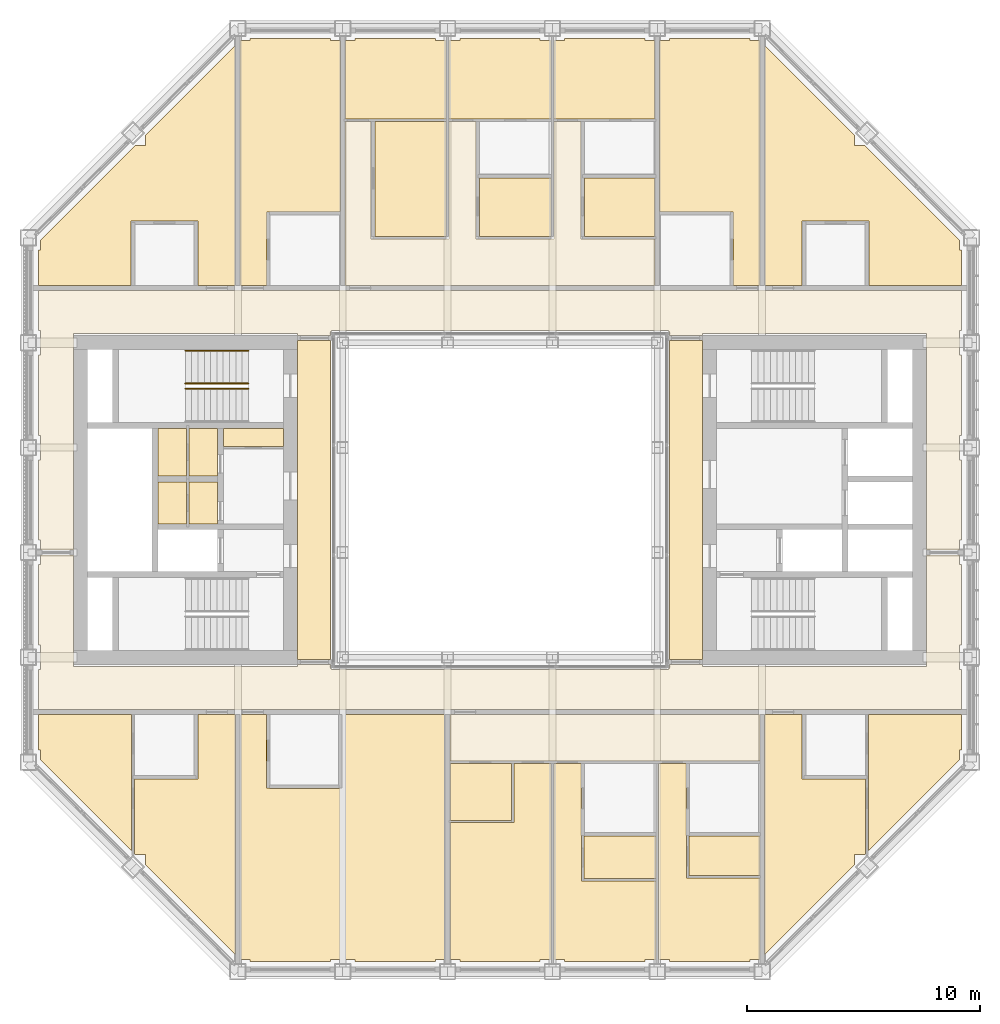
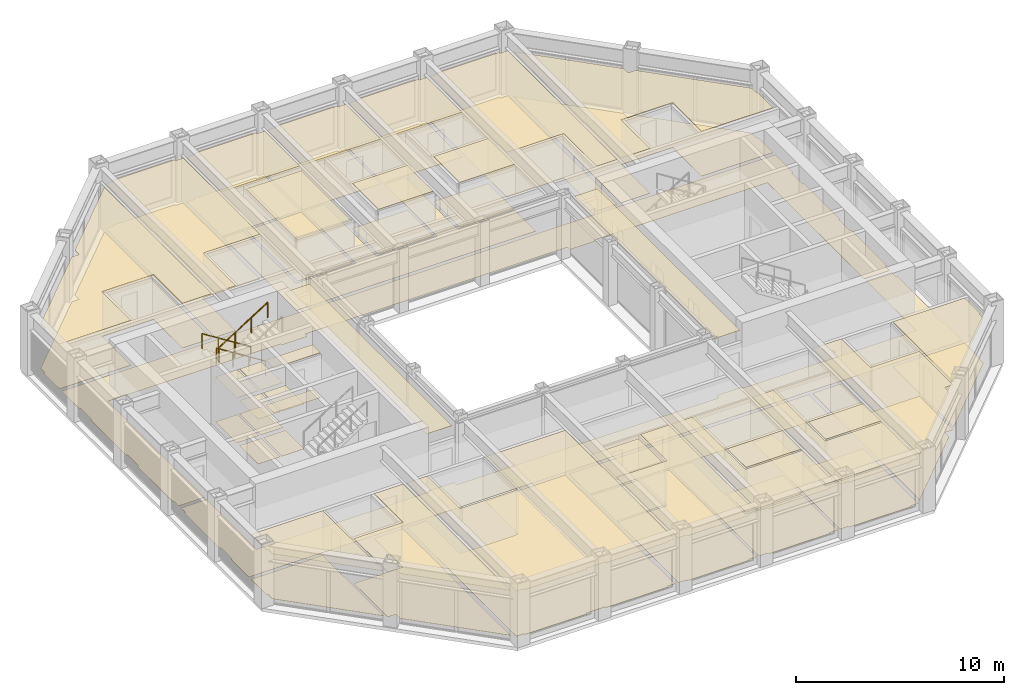
# One storey, part 16 of 17: 6 coverings, 3 railings.
"""IFC4 building model written with IfcOpenShell, lengths in metres."""

from ifc_helpers import new_model, si_unit, direction, frame, origin, origin_2d, place, context, subcontext, project, spatial, line, indexed_curve, circle, outline, extrude, material, layer, layer_set, type_object, element, save


model = new_model("IFC4")

# Units and contexts
model_context = context("Model", 3, precision=1e-05, world=origin(), true_north=direction((0.0, 1.0)))
body_context = subcontext(model_context, "Body", "Model", "MODEL_VIEW")
ifc_project = project(units=[si_unit("LENGTHUNIT", "METRE"), si_unit("AREAUNIT", "SQUARE_METRE"), si_unit("VOLUMEUNIT", "CUBIC_METRE"), si_unit("PLANEANGLEUNIT", "RADIAN"), si_unit("MASSUNIT", "GRAM", prefix="KILO")], contexts=[model_context])

# Site, building, storey
site_placement = place(None, origin())
site = spatial("IfcSite", under=ifc_project, at=site_placement, CompositionType="ELEMENT")
building_placement = place(site_placement, origin())
building = spatial("IfcBuilding", under=site, at=building_placement, Name="Msasa Ring Tower", CompositionType="ELEMENT")
storey_placement = place(building_placement, frame((0.0, 0.0, 238.300048828125)))
storey = spatial("IfcBuildingStorey", under=building, at=storey_placement, Name="L62", CompositionType="ELEMENT", Elevation=238.300048828125)

# Coverings
ifc_material_1 = material(Name="Gypsum plasterboard on a steel suspension grid", Category="steel")
ifc_layer_1 = layer(ifc_material_1, 0.014892578125)
ifc_layer_set_1 = layer_set([ifc_layer_1], Name="C1 SUSPENDED PLASTERBOARD CEILING 15")
covering_type_1 = type_object("IfcCoveringType", Name="C1 SUSPENDED PLASTERBOARD CEILING 15", PredefinedType="CEILING", material=ifc_layer_set_1)
covering_1_placement = place(storey_placement, frame((0.0, 0.0, 3.199951171875)))
element("IfcCovering", 1, at=covering_1_placement, inside=storey, type_object=covering_type_1, Name="Suspended Plasterboard Ceiling 15 public rooms L62", PredefinedType="CEILING", context=body_context, shape_type="SweptSolid", body=[
    extrude(outline(indexed_curve([(-7.280029296875, 6.849609375), (-7.280029296875, -6.849609375), (-8.699462890625, -6.849609375), (-8.699462890625, 6.849609375)], segments=[line(1, 2, 3, 4, 1)], self_intersect=False)), origin(), (0.0, 0.0, 1.0), 0.014892578125),
    extrude(outline(indexed_curve([(8.699462890625, 6.849609375), (8.699462890625, -6.849609375), (7.280029296875, -6.849609375), (7.280029296875, 6.849609375)], segments=[line(1, 2, 3, 4, 1)], self_intersect=False)), origin(), (0.0, 0.0, 1.0), 0.014892578125),
])
covering_2_placement = place(storey_placement, frame((0.0, 0.0, 2.634033203125)))
element("IfcCovering", 2, at=covering_2_placement, inside=storey, type_object=covering_type_1, Name="Suspended Plasterboard Ceiling 15 L62", PredefinedType="CEILING", context=body_context, shape_type="SweptSolid", body=[
    extrude(outline(indexed_curve([(-15.810546875, -15.052490234375), (-19.724609375, -11.138427734375), (-19.724609375, -10.724609375), (-19.799560546875, -10.724609375), (-19.799560546875, -9.200439453125), (-15.810546875, -9.200439453125)], segments=[line(1, 2, 3, 4, 5, 6, 1)], self_intersect=False)), origin(), (0.0, 0.0, 1.0), 0.014892578125),
    extrude(outline(indexed_curve([(-19.799560546875, 9.200439453125), (-19.799560546875, 10.724609375), (-19.724609375, 10.724609375), (-19.724609375, 11.138427734375), (-15.638427734375, 15.224609375), (-15.224609375, 15.224609375), (-15.224609375, 15.638427734375), (-11.3505859375, 19.512451171875), (-11.3505859375, 9.200439453125), (-12.969482421875, 9.200439453125), (-12.969482421875, 11.98046875), (-15.83056640625, 11.98046875), (-15.83056640625, 9.200439453125)], segments=[line(1, 2, 3, 4, 5, 6, 7, 8, 9, 10, 11, 12, 13, 1)], self_intersect=False)), origin(), (0.0, 0.0, 1.0), 0.014892578125),
    extrude(outline(indexed_curve([(-11.3505859375, -19.512451171875), (-15.224609375, -15.638427734375), (-15.224609375, -15.224609375), (-15.638427734375, -15.224609375), (-15.689453125, -15.17333984375), (-15.689453125, -11.98046875), (-12.969482421875, -11.98046875), (-12.969482421875, -9.200439453125), (-11.3505859375, -9.200439453125)], segments=[line(1, 2, 3, 4, 5, 6, 7, 8, 9, 1)], self_intersect=False)), origin(), (0.0, 0.0, 1.0), 0.014892578125),
    extrude(outline(indexed_curve([(-13.45556640625, -1.0244140625), (-14.674560546875, -1.0244140625), (-14.674560546875, 0.7744140625), (-13.45556640625, 0.7744140625)], segments=[line(1, 2, 3, 4, 1)], self_intersect=False)), origin(), (0.0, 0.0, 1.0), 0.014892578125),
    extrude(outline(indexed_curve([(-14.674560546875, 3.074462890625), (-13.45556640625, 3.074462890625), (-13.45556640625, 1.025390625), (-14.674560546875, 1.025390625)], segments=[line(1, 2, 3, 4, 1)], self_intersect=False)), origin(), (0.0, 0.0, 1.0), 0.014892578125),
    extrude(outline(indexed_curve([(-12.12548828125, -1.0244140625), (-13.344482421875, -1.0244140625), (-13.344482421875, 0.7744140625), (-12.12548828125, 0.7744140625)], segments=[line(1, 2, 3, 4, 1)], self_intersect=False)), origin(), (0.0, 0.0, 1.0), 0.014892578125),
    extrude(outline(indexed_curve([(-12.12548828125, 3.074462890625), (-12.12548828125, 1.025390625), (-13.344482421875, 1.025390625), (-13.344482421875, 3.074462890625)], segments=[line(1, 2, 3, 4, 1)], self_intersect=False)), origin(), (0.0, 0.0, 1.0), 0.014892578125),
    extrude(outline(indexed_curve([(-9.300537109375, 3.074462890625), (-9.300537109375, 2.305419921875), (-11.87451171875, 2.305419921875), (-11.87451171875, 3.074462890625)], segments=[line(1, 2, 3, 4, 1)], self_intersect=False)), origin(), (0.0, 0.0, 1.0), 0.014892578125),
    extrude(outline(indexed_curve([(-6.799560546875, -12.3505859375), (-6.799560546875, -9.200439453125), (-2.3505859375, -9.200439453125), (-2.3505859375, -19.724609375), (-2.775390625, -19.724609375), (-2.775390625, -19.799560546875), (-6.224609375, -19.799560546875), (-6.224609375, -19.724609375), (-7.275390625, -19.724609375), (-7.275390625, -19.799560546875), (-10.724609375, -19.799560546875), (-10.724609375, -19.724609375), (-11.138427734375, -19.724609375), (-11.1494140625, -19.71337890625), (-11.1494140625, -9.200439453125), (-10.00048828125, -9.200439453125), (-10.00048828125, -12.3505859375)], segments=[line(1, 2, 3, 4, 5, 6, 7, 8, 9, 10, 11, 12, 13, 14, 15, 16, 17, 1)], self_intersect=False)), origin(), (0.0, 0.0, 1.0), 0.014892578125),
    extrude(outline(indexed_curve([(-11.1494140625, 9.200439453125), (-11.1494140625, 19.71337890625), (-11.138427734375, 19.724609375), (-10.724609375, 19.724609375), (-10.724609375, 19.799560546875), (-7.275390625, 19.799560546875), (-7.275390625, 19.724609375), (-6.8505859375, 19.724609375), (-6.8505859375, 12.3505859375), (-10.00048828125, 12.3505859375), (-10.00048828125, 9.200439453125)], segments=[line(1, 2, 3, 4, 5, 6, 7, 8, 9, 10, 11, 1)], self_intersect=False)), origin(), (0.0, 0.0, 1.0), 0.014892578125),
    extrude(outline(indexed_curve([(-6.689453125, 19.724609375), (-6.224609375, 19.724609375), (-6.224609375, 19.799560546875), (-2.775390625, 19.799560546875), (-2.775390625, 19.724609375), (-2.310546875, 19.724609375), (-2.310546875, 16.35546875), (-6.689453125, 16.35546875)], segments=[line(1, 2, 3, 4, 5, 6, 7, 8, 1)], self_intersect=False)), origin(), (0.0, 0.0, 1.0), 0.014892578125),
    extrude(outline(indexed_curve([(2.189453125, -11.300537109375), (2.189453125, -19.724609375), (1.724609375, -19.724609375), (1.724609375, -19.799560546875), (-1.724609375, -19.799560546875), (-1.724609375, -19.724609375), (-2.189453125, -19.724609375), (-2.189453125, -13.8505859375), (0.6005859375, -13.8505859375), (0.6005859375, -11.300537109375)], segments=[line(1, 2, 3, 4, 5, 6, 7, 8, 9, 10, 1)], self_intersect=False)), origin(), (0.0, 0.0, 1.0), 0.014892578125),
    extrude(outline(indexed_curve([(-2.189453125, 19.724609375), (-1.724609375, 19.724609375), (-1.724609375, 19.799560546875), (1.724609375, 19.799560546875), (1.724609375, 19.724609375), (2.189453125, 19.724609375), (2.189453125, 16.35546875), (-2.189453125, 16.35546875)], segments=[line(1, 2, 3, 4, 5, 6, 7, 8, 1)], self_intersect=False)), origin(), (0.0, 0.0, 1.0), 0.014892578125),
    extrude(outline(indexed_curve([(-0.869384765625, 13.819580078125), (2.189453125, 13.819580078125), (2.189453125, 11.305419921875), (-0.869384765625, 11.305419921875)], segments=[line(1, 2, 3, 4, 1)], self_intersect=False)), origin(), (0.0, 0.0, 1.0), 0.014892578125),
    extrude(outline(indexed_curve([(6.689453125, -19.724609375), (6.224609375, -19.724609375), (6.224609375, -19.799560546875), (2.775390625, -19.799560546875), (2.775390625, -19.724609375), (2.310546875, -19.724609375), (2.310546875, -11.300537109375), (3.49951171875, -11.300537109375), (3.49951171875, -16.3505859375), (6.689453125, -16.3505859375)], segments=[line(1, 2, 3, 4, 5, 6, 7, 8, 9, 10, 1)], self_intersect=False)), origin(), (0.0, 0.0, 1.0), 0.014892578125),
    extrude(outline(indexed_curve([(2.310546875, 19.724609375), (2.775390625, 19.724609375), (2.775390625, 19.799560546875), (6.224609375, 19.799560546875), (6.224609375, 19.724609375), (6.689453125, 19.724609375), (6.689453125, 16.35546875), (2.310546875, 16.35546875)], segments=[line(1, 2, 3, 4, 5, 6, 7, 8, 1)], self_intersect=False)), origin(), (0.0, 0.0, 1.0), 0.014892578125),
    extrude(outline(indexed_curve([(6.689453125, -14.430419921875), (6.689453125, -16.244384765625), (3.6005859375, -16.244384765625), (3.6005859375, -14.430419921875)], segments=[line(1, 2, 3, 4, 1)], self_intersect=False)), origin(), (0.0, 0.0, 1.0), 0.014892578125),
    extrude(outline(indexed_curve([(6.689453125, 13.819580078125), (6.689453125, 11.305419921875), (3.630615234375, 11.305419921875), (3.630615234375, 13.819580078125)], segments=[line(1, 2, 3, 4, 1)], self_intersect=False)), origin(), (0.0, 0.0, 1.0), 0.014892578125),
    extrude(outline(indexed_curve([(11.138427734375, -19.724609375), (10.724609375, -19.724609375), (10.724609375, -19.799560546875), (7.275390625, -19.799560546875), (7.275390625, -19.724609375), (6.810546875, -19.724609375), (6.810546875, -11.300537109375), (7.99951171875, -11.300537109375), (7.99951171875, -16.22412109375), (11.189453125, -16.22412109375), (11.189453125, -19.67333984375)], segments=[line(1, 2, 3, 4, 5, 6, 7, 8, 9, 10, 11, 1)], self_intersect=False)), origin(), (0.0, 0.0, 1.0), 0.014892578125),
    extrude(outline(indexed_curve([(10.724609375, 19.799560546875), (10.724609375, 19.724609375), (11.138427734375, 19.724609375), (11.1494140625, 19.71337890625), (11.1494140625, 9.200439453125), (10.00048828125, 9.200439453125), (10.00048828125, 12.3505859375), (6.8505859375, 12.3505859375), (6.8505859375, 19.724609375), (7.275390625, 19.724609375), (7.275390625, 19.799560546875)], segments=[line(1, 2, 3, 4, 5, 6, 7, 8, 9, 10, 11, 1)], self_intersect=False)), origin(), (0.0, 0.0, 1.0), 0.014892578125),
    extrude(outline(indexed_curve([(8.1005859375, -14.430419921875), (11.189453125, -14.430419921875), (11.189453125, -16.1181640625), (8.1005859375, -16.1181640625)], segments=[line(1, 2, 3, 4, 1)], self_intersect=False)), origin(), (0.0, 0.0, 1.0), 0.014892578125),
    extrude(outline(indexed_curve([(11.3505859375, -9.200439453125), (12.969482421875, -9.200439453125), (12.969482421875, -11.98046875), (15.689453125, -11.98046875), (15.689453125, -15.17333984375), (15.638427734375, -15.224609375), (15.224609375, -15.224609375), (15.224609375, -15.638427734375), (11.3505859375, -19.512451171875)], segments=[line(1, 2, 3, 4, 5, 6, 7, 8, 9, 1)], self_intersect=False)), origin(), (0.0, 0.0, 1.0), 0.014892578125),
    extrude(outline(indexed_curve([(12.969482421875, 9.200439453125), (11.3505859375, 9.200439453125), (11.3505859375, 19.512451171875), (15.224609375, 15.638427734375), (15.224609375, 15.224609375), (15.638427734375, 15.224609375), (19.724609375, 11.138427734375), (19.724609375, 10.724609375), (19.799560546875, 10.724609375), (19.799560546875, 9.200439453125), (15.83056640625, 9.200439453125), (15.83056640625, 11.98046875), (12.969482421875, 11.98046875)], segments=[line(1, 2, 3, 4, 5, 6, 7, 8, 9, 10, 11, 12, 13, 1)], self_intersect=False)), origin(), (0.0, 0.0, 1.0), 0.014892578125),
    extrude(outline(indexed_curve([(19.799560546875, -10.724609375), (19.724609375, -10.724609375), (19.724609375, -11.138427734375), (15.810546875, -15.052490234375), (15.810546875, -9.200439453125), (19.799560546875, -9.200439453125)], segments=[line(1, 2, 3, 4, 5, 6, 1)], self_intersect=False)), origin(), (0.0, 0.0, 1.0), 0.014892578125),
])
ifc_material_2 = material(Name="Perforated aluminium ceiling pans on a steel grid", Category="steel")
ifc_layer_2 = layer(ifc_material_2, 0.02490234375)
ifc_layer_set_2 = layer_set([ifc_layer_2], Name="C4 PERFORATED METAL PAN CEILING 25")
covering_type_2 = type_object("IfcCoveringType", Name="C4 PERFORATED METAL PAN CEILING 25", PredefinedType="CEILING", material=ifc_layer_set_2)
covering_3_placement = place(storey_placement, frame((0.0, 0.0, 2.39990234375)))
element("IfcCovering", 3, at=covering_3_placement, inside=storey, type_object=covering_type_2, Name="Perforated Metal Pan Ceiling 25 L62", PredefinedType="CEILING", context=body_context, shape_type="SweptSolid", body=[
    extrude(outline(indexed_curve([(-2.310546875, 16.244384765625), (-2.310546875, 11.305419921875), (-5.369384765625, 11.305419921875), (-5.369384765625, 16.244384765625)], segments=[line(1, 2, 3, 4, 1)], self_intersect=False)), origin(), (0.0, 0.0, 1.0), 0.025146484375),
    extrude(outline(indexed_curve([(0.49951171875, -11.300537109375), (0.49951171875, -13.74951171875), (-2.1494140625, -13.74951171875), (-2.1494140625, -11.300537109375)], segments=[line(1, 2, 3, 4, 1)], self_intersect=False)), origin(), (0.0, 0.0, 1.0), 0.025146484375),
])
ifc_material_3 = material(Name="Wool-blend carpet on felt underlay", Category="textile")
ifc_layer_3 = layer(ifc_material_3, 0.011962890625)
ifc_layer_set_3 = layer_set([ifc_layer_3], Name="F2 CARPET ON UNDERLAY 12")
covering_type_3 = type_object("IfcCoveringType", Name="F2 CARPET ON UNDERLAY 12", PredefinedType="FLOORING", material=ifc_layer_set_3)
covering_4_placement = place(storey_placement, origin())
element("IfcCovering", 4, at=covering_4_placement, inside=storey, type_object=covering_type_3, Name="Carpet On Underlay 12 L62", PredefinedType="FLOORING", context=body_context, shape_type="SweptSolid", body=[
    extrude(outline(indexed_curve([(-19.799560546875, -9.200439453125), (-15.810546875, -9.200439453125), (-15.810546875, -15.052490234375), (-19.724609375, -11.138427734375), (-19.724609375, -10.724609375), (-19.799560546875, -10.724609375)], segments=[line(1, 2, 3, 4, 5, 6, 1)], self_intersect=False)), origin(), (0.0, 0.0, 1.0), 0.011962890625),
    extrude(outline(indexed_curve([(8.699462890625, -7.150390625), (18.300537109375, -7.150390625), (18.300537109375, -2.3505859375), (19.724609375, -2.3505859375), (19.724609375, -2.775390625), (19.799560546875, -2.775390625), (19.799560546875, -6.224609375), (19.724609375, -6.224609375), (19.724609375, -7.275390625), (19.799560546875, -7.275390625), (19.799560546875, -8.99951171875), (-19.799560546875, -8.99951171875), (-19.799560546875, -7.275390625), (-19.724609375, -7.275390625), (-19.724609375, -6.224609375), (-19.799560546875, -6.224609375), (-19.799560546875, -2.775390625), (-19.724609375, -2.775390625), (-19.724609375, -2.3505859375), (-18.300537109375, -2.3505859375), (-18.300537109375, -7.150390625), (-8.699462890625, -7.150390625), (-8.699462890625, -7.050537109375), (-7.280029296875, -7.050537109375), (-7.280517578125, -7.23046875), (-7.22998046875, -7.23046875), (-7.22998046875, -7.280029296875), (7.22998046875, -7.280029296875), (7.22998046875, -7.23046875), (7.280517578125, -7.23046875), (7.280029296875, -7.050537109375), (8.699462890625, -7.050537109375)], segments=[line(1, 2, 3, 4, 5, 6, 7, 8, 9, 10, 11, 12, 13, 14, 15, 16, 17, 18, 19, 20, 21, 22, 23, 24, 25, 26, 27, 28, 29, 30, 31, 32, 1)], self_intersect=False)), origin(), (0.0, 0.0, 1.0), 0.011962890625),
    extrude(outline(indexed_curve([(18.300537109375, -2.1494140625), (18.300537109375, 7.150390625), (8.699462890625, 7.150390625), (8.699462890625, 7.050537109375), (7.280029296875, 7.050537109375), (7.280517578125, 7.23046875), (7.22998046875, 7.23046875), (7.22998046875, 7.280029296875), (-7.22998046875, 7.280029296875), (-7.22998046875, 7.23046875), (-7.280517578125, 7.23046875), (-7.280029296875, 7.050537109375), (-8.699462890625, 7.050537109375), (-8.699462890625, 7.150390625), (-18.300537109375, 7.150390625), (-18.300537109375, -2.1494140625), (-19.724609375, -2.1494140625), (-19.724609375, -1.724609375), (-19.799560546875, -1.724609375), (-19.799560546875, 1.724609375), (-19.724609375, 1.724609375), (-19.724609375, 2.775390625), (-19.799560546875, 2.775390625), (-19.799560546875, 6.224609375), (-19.724609375, 6.224609375), (-19.724609375, 7.275390625), (-19.799560546875, 7.275390625), (-19.799560546875, 8.99951171875), (19.799560546875, 8.99951171875), (19.799560546875, 7.275390625), (19.724609375, 7.275390625), (19.724609375, 6.224609375), (19.799560546875, 6.224609375), (19.799560546875, 2.775390625), (19.724609375, 2.775390625), (19.724609375, 1.724609375), (19.799560546875, 1.724609375), (19.799560546875, -1.724609375), (19.724609375, -1.724609375), (19.724609375, -2.1494140625)], segments=[line(1, 2, 3, 4, 5, 6, 7, 8, 9, 10, 11, 12, 13, 14, 15, 16, 17, 18, 19, 20, 21, 22, 23, 24, 25, 26, 27, 28, 29, 30, 31, 32, 33, 34, 35, 36, 37, 38, 39, 40, 1)], self_intersect=False)), origin(), (0.0, 0.0, 1.0), 0.011962890625),
    extrude(outline(indexed_curve([(-15.224609375, -15.638427734375), (-15.224609375, -15.224609375), (-15.638427734375, -15.224609375), (-15.689453125, -15.17333984375), (-15.689453125, -11.98046875), (-12.969482421875, -11.98046875), (-12.969482421875, -9.200439453125), (-11.3505859375, -9.200439453125), (-11.3505859375, -19.512451171875)], segments=[line(1, 2, 3, 4, 5, 6, 7, 8, 9, 1)], self_intersect=False)), origin(), (0.0, 0.0, 1.0), 0.011962890625),
    extrude(outline(indexed_curve([(-13.45556640625, -1.0244140625), (-14.674560546875, -1.0244140625), (-14.674560546875, 0.7744140625), (-13.45556640625, 0.7744140625)], segments=[line(1, 2, 3, 4, 1)], self_intersect=False)), origin(), (0.0, 0.0, 1.0), 0.011962890625),
    extrude(outline(indexed_curve([(-13.45556640625, 3.074462890625), (-13.45556640625, 1.025390625), (-14.674560546875, 1.025390625), (-14.674560546875, 3.074462890625)], segments=[line(1, 2, 3, 4, 1)], self_intersect=False)), origin(), (0.0, 0.0, 1.0), 0.011962890625),
    extrude(outline(indexed_curve([(-12.12548828125, -1.0244140625), (-13.344482421875, -1.0244140625), (-13.344482421875, 0.7744140625), (-12.12548828125, 0.7744140625)], segments=[line(1, 2, 3, 4, 1)], self_intersect=False)), origin(), (0.0, 0.0, 1.0), 0.011962890625),
    extrude(outline(indexed_curve([(-12.12548828125, 1.025390625), (-13.344482421875, 1.025390625), (-13.344482421875, 3.074462890625), (-12.12548828125, 3.074462890625)], segments=[line(1, 2, 3, 4, 1)], self_intersect=False)), origin(), (0.0, 0.0, 1.0), 0.011962890625),
    extrude(outline(indexed_curve([(-9.300537109375, 2.305419921875), (-11.87451171875, 2.305419921875), (-11.87451171875, 3.074462890625), (-9.300537109375, 3.074462890625)], segments=[line(1, 2, 3, 4, 1)], self_intersect=False)), origin(), (0.0, 0.0, 1.0), 0.011962890625),
    extrude(outline(indexed_curve([(-11.1494140625, 19.71337890625), (-11.138427734375, 19.724609375), (-10.724609375, 19.724609375), (-10.724609375, 19.799560546875), (-7.275390625, 19.799560546875), (-7.275390625, 19.724609375), (-6.8505859375, 19.724609375), (-6.8505859375, 12.37548828125), (-9.89990234375, 12.37548828125), (-9.89990234375, 12.3505859375), (-10.025390625, 12.35009765625), (-10.025390625, 9.200439453125), (-11.1494140625, 9.200439453125)], segments=[line(1, 2, 3, 4, 5, 6, 7, 8, 9, 10, 11, 12, 13, 1)], self_intersect=False)), origin(), (0.0, 0.0, 1.0), 0.011962890625),
    extrude(outline(indexed_curve([(-2.189453125, 16.244384765625), (-1.030517578125, 16.244384765625), (-1.030517578125, 11.199462890625), (2.310546875, 11.199462890625), (2.310546875, 16.244384765625), (3.469482421875, 16.244384765625), (3.469482421875, 11.199462890625), (6.6494140625, 11.199462890625), (6.6494140625, 9.200439453125), (-6.6494140625, 9.200439453125), (-6.6494140625, 16.244384765625), (-5.530517578125, 16.244384765625), (-5.530517578125, 11.199462890625), (-2.189453125, 11.199462890625)], segments=[line(1, 2, 3, 4, 5, 6, 7, 8, 9, 10, 11, 12, 13, 14, 1)], self_intersect=False)), origin(), (0.0, 0.0, 1.0), 0.011962890625),
    extrude(outline(indexed_curve([(-2.775390625, 19.799560546875), (-2.775390625, 19.724609375), (-2.310546875, 19.724609375), (-2.310546875, 16.35546875), (-6.6494140625, 16.35546875), (-6.6494140625, 19.724609375), (-6.224609375, 19.724609375), (-6.224609375, 19.799560546875)], segments=[line(1, 2, 3, 4, 5, 6, 7, 8, 1)], self_intersect=False)), origin(), (0.0, 0.0, 1.0), 0.011962890625),
    extrude(outline(indexed_curve([(-2.189453125, 19.724609375), (-1.724609375, 19.724609375), (-1.724609375, 19.799560546875), (1.724609375, 19.799560546875), (1.724609375, 19.724609375), (2.189453125, 19.724609375), (2.189453125, 16.35546875), (-2.189453125, 16.35546875)], segments=[line(1, 2, 3, 4, 5, 6, 7, 8, 1)], self_intersect=False)), origin(), (0.0, 0.0, 1.0), 0.011962890625),
    extrude(outline(indexed_curve([(2.189453125, -19.724609375), (1.724609375, -19.724609375), (1.724609375, -19.799560546875), (-1.724609375, -19.799560546875), (-1.724609375, -19.724609375), (-2.1494140625, -19.724609375), (-2.1494140625, -13.8505859375), (0.6005859375, -13.8505859375), (0.6005859375, -11.300537109375), (2.189453125, -11.300537109375)], segments=[line(1, 2, 3, 4, 5, 6, 7, 8, 9, 10, 1)], self_intersect=False)), origin(), (0.0, 0.0, 1.0), 0.011962890625),
    extrude(outline(indexed_curve([(11.1494140625, -11.199462890625), (-2.1494140625, -11.199462890625), (-2.1494140625, -9.200439453125), (11.1494140625, -9.200439453125)], segments=[line(1, 2, 3, 4, 1)], self_intersect=False)), origin(), (0.0, 0.0, 1.0), 0.011962890625),
    extrude(outline(indexed_curve([(2.189453125, 11.305419921875), (-0.869384765625, 11.305419921875), (-0.869384765625, 13.819580078125), (2.189453125, 13.819580078125)], segments=[line(1, 2, 3, 4, 1)], self_intersect=False)), origin(), (0.0, 0.0, 1.0), 0.011962890625),
    extrude(outline(indexed_curve([(2.310546875, -11.300537109375), (3.474609375, -11.300537109375), (3.474609375, -14.39990234375), (3.49951171875, -14.39990234375), (3.49951171875, -16.3505859375), (6.689453125, -16.3505859375), (6.689453125, -19.724609375), (6.224609375, -19.724609375), (6.224609375, -19.799560546875), (2.775390625, -19.799560546875), (2.775390625, -19.724609375), (2.310546875, -19.724609375)], segments=[line(1, 2, 3, 4, 5, 6, 7, 8, 9, 10, 11, 12, 1)], self_intersect=False)), origin(), (0.0, 0.0, 1.0), 0.011962890625),
    extrude(outline(indexed_curve([(6.224609375, 19.799560546875), (6.224609375, 19.724609375), (6.6494140625, 19.724609375), (6.6494140625, 16.35546875), (2.310546875, 16.35546875), (2.310546875, 19.724609375), (2.775390625, 19.724609375), (2.775390625, 19.799560546875)], segments=[line(1, 2, 3, 4, 5, 6, 7, 8, 1)], self_intersect=False)), origin(), (0.0, 0.0, 1.0), 0.011962890625),
    extrude(outline(indexed_curve([(6.689453125, -14.430419921875), (6.689453125, -16.244384765625), (3.6005859375, -16.244384765625), (3.6005859375, -14.430419921875)], segments=[line(1, 2, 3, 4, 1)], self_intersect=False)), origin(), (0.0, 0.0, 1.0), 0.011962890625),
    extrude(outline(indexed_curve([(3.630615234375, 11.305419921875), (3.630615234375, 13.819580078125), (6.6494140625, 13.819580078125), (6.6494140625, 11.305419921875)], segments=[line(1, 2, 3, 4, 1)], self_intersect=False)), origin(), (0.0, 0.0, 1.0), 0.011962890625),
    extrude(outline(indexed_curve([(7.275390625, -19.799560546875), (7.275390625, -19.724609375), (6.810546875, -19.724609375), (6.810546875, -11.300537109375), (7.974609375, -11.300537109375), (7.974609375, -14.39990234375), (7.99951171875, -14.39990234375), (7.99951171875, -16.22412109375), (11.1494140625, -16.22412109375), (11.1494140625, -19.71337890625), (11.138427734375, -19.724609375), (10.724609375, -19.724609375), (10.724609375, -19.799560546875)], segments=[line(1, 2, 3, 4, 5, 6, 7, 8, 9, 10, 11, 12, 13, 1)], self_intersect=False)), origin(), (0.0, 0.0, 1.0), 0.011962890625),
    extrude(outline(indexed_curve([(11.1494140625, 9.200439453125), (10.025390625, 9.200439453125), (10.025390625, 12.35009765625), (9.89990234375, 12.3505859375), (9.89990234375, 12.37548828125), (6.8505859375, 12.37548828125), (6.8505859375, 19.724609375), (7.275390625, 19.724609375), (7.275390625, 19.799560546875), (10.724609375, 19.799560546875), (10.724609375, 19.724609375), (11.138427734375, 19.724609375), (11.1494140625, 19.71337890625)], segments=[line(1, 2, 3, 4, 5, 6, 7, 8, 9, 10, 11, 12, 13, 1)], self_intersect=False)), origin(), (0.0, 0.0, 1.0), 0.011962890625),
    extrude(outline(indexed_curve([(8.1005859375, -16.1181640625), (8.1005859375, -14.430419921875), (11.1494140625, -14.430419921875), (11.1494140625, -16.1181640625)], segments=[line(1, 2, 3, 4, 1)], self_intersect=False)), origin(), (0.0, 0.0, 1.0), 0.011962890625),
    extrude(outline(indexed_curve([(12.969482421875, -9.200439453125), (12.969482421875, -11.98046875), (15.689453125, -11.98046875), (15.689453125, -15.17333984375), (15.638427734375, -15.224609375), (15.224609375, -15.224609375), (15.224609375, -15.638427734375), (11.3505859375, -19.512451171875), (11.3505859375, -9.200439453125)], segments=[line(1, 2, 3, 4, 5, 6, 7, 8, 9, 1)], self_intersect=False)), origin(), (0.0, 0.0, 1.0), 0.011962890625),
    extrude(outline(indexed_curve([(19.799560546875, -10.724609375), (19.724609375, -10.724609375), (19.724609375, -11.138427734375), (15.810546875, -15.052490234375), (15.810546875, -9.200439453125), (19.799560546875, -9.200439453125)], segments=[line(1, 2, 3, 4, 5, 6, 1)], self_intersect=False)), origin(), (0.0, 0.0, 1.0), 0.011962890625),
])
ifc_material_4 = material(Name="Engineered oak boards on an acoustic underlay", Category="wood")
ifc_layer_4 = layer(ifc_material_4, 0.01806640625)
ifc_layer_set_4 = layer_set([ifc_layer_4], Name="F3 ENGINEERED TIMBER ON ACOUSTIC UNDERLAY 18")
covering_type_4 = type_object("IfcCoveringType", Name="F3 ENGINEERED TIMBER ON ACOUSTIC UNDERLAY 18", PredefinedType="FLOORING", material=ifc_layer_set_4)
covering_5_placement = place(storey_placement, origin())
element("IfcCovering", 5, at=covering_5_placement, inside=storey, type_object=covering_type_4, Name="Engineered Timber On Acoustic Underlay 18 L62", PredefinedType="FLOORING", context=body_context, shape_type="SweptSolid", body=[
    extrude(outline(indexed_curve([(-15.83056640625, 9.200439453125), (-19.799560546875, 9.200439453125), (-19.799560546875, 10.724609375), (-19.724609375, 10.724609375), (-19.724609375, 11.138427734375), (-15.638427734375, 15.224609375), (-15.224609375, 15.224609375), (-15.224609375, 15.638427734375), (-11.3505859375, 19.512451171875), (-11.3505859375, 9.200439453125), (-12.969482421875, 9.200439453125), (-12.969482421875, 11.98046875), (-15.83056640625, 11.98046875)], segments=[line(1, 2, 3, 4, 5, 6, 7, 8, 9, 10, 11, 12, 13, 1)], self_intersect=False)), origin(), (0.0, 0.0, 1.0), 0.01806640625),
    extrude(outline(indexed_curve([(-11.1494140625, -9.200439453125), (-10.025390625, -9.200439453125), (-10.025390625, -12.35009765625), (-9.89990234375, -12.3505859375), (-9.89990234375, -12.37548828125), (-6.89990234375, -12.37548828125), (-6.89990234375, -12.3505859375), (-6.7744140625, -12.35009765625), (-6.7744140625, -9.200439453125), (-2.3505859375, -9.200439453125), (-2.3505859375, -19.724609375), (-2.775390625, -19.724609375), (-2.775390625, -19.799560546875), (-6.224609375, -19.799560546875), (-6.224609375, -19.724609375), (-7.275390625, -19.724609375), (-7.275390625, -19.799560546875), (-10.724609375, -19.799560546875), (-10.724609375, -19.724609375), (-11.138427734375, -19.724609375), (-11.1494140625, -19.71337890625)], segments=[line(1, 2, 3, 4, 5, 6, 7, 8, 9, 10, 11, 12, 13, 14, 15, 16, 17, 18, 19, 20, 21, 1)], self_intersect=False)), origin(), (0.0, 0.0, 1.0), 0.01806640625),
    extrude(outline(indexed_curve([(15.83056640625, 11.98046875), (12.969482421875, 11.98046875), (12.969482421875, 9.200439453125), (11.3505859375, 9.200439453125), (11.3505859375, 19.512451171875), (15.224609375, 15.638427734375), (15.224609375, 15.224609375), (15.638427734375, 15.224609375), (19.724609375, 11.138427734375), (19.724609375, 10.724609375), (19.799560546875, 10.724609375), (19.799560546875, 9.200439453125), (15.83056640625, 9.200439453125)], segments=[line(1, 2, 3, 4, 5, 6, 7, 8, 9, 10, 11, 12, 13, 1)], self_intersect=False)), origin(), (0.0, 0.0, 1.0), 0.01806640625),
])
ifc_material_5 = material(Name="Welded vinyl safety sheet flooring", Category="vinyl")
ifc_layer_5 = layer(ifc_material_5, 0.0029296875)
ifc_layer_set_5 = layer_set([ifc_layer_5], Name="F5 RESILIENT SHEET FLOORING 3")
covering_type_5 = type_object("IfcCoveringType", Name="F5 RESILIENT SHEET FLOORING 3", PredefinedType="FLOORING", material=ifc_layer_set_5)
covering_6_placement = place(storey_placement, origin())
element("IfcCovering", 6, at=covering_6_placement, inside=storey, type_object=covering_type_5, Name="Resilient Sheet Flooring 3 L62", PredefinedType="FLOORING", context=body_context, shape_type="SweptSolid", body=[
    extrude(outline(indexed_curve([(-2.310546875, 11.305419921875), (-5.369384765625, 11.305419921875), (-5.369384765625, 16.244384765625), (-2.310546875, 16.244384765625)], segments=[line(1, 2, 3, 4, 1)], self_intersect=False)), origin(), (0.0, 0.0, 1.0), 0.0029296875),
    extrude(outline(indexed_curve([(0.49951171875, -13.74951171875), (-2.1494140625, -13.74951171875), (-2.1494140625, -11.300537109375), (0.49951171875, -11.300537109375)], segments=[line(1, 2, 3, 4, 1)], self_intersect=False)), origin(), (0.0, 0.0, 1.0), 0.0029296875),
])

# Railings
ifc_material_6 = material(Name="Stainless steel", Category="steel")
railing_type = type_object("IfcRailingType", Name="HR1 HANDRAIL 900", PredefinedType="HANDRAIL", material=ifc_material_6)
for number, where, name in (
    (7, (-10.800048828125, 5.0, 0.17041015625), "Handrail stair SWB L62 1"),
    (8, (-10.800048828125, 6.39990234375, 0.17041015625), "Handrail stair SWB L62 2"),
):
    element("IfcRailing", number, at=place(storey_placement, frame(where)), inside=storey, type_object=railing_type, Name=name, PredefinedType="HANDRAIL", context=body_context, shape_type="SweptSolid", body=[
        extrude(circle(Radius=0.02392578125, at=origin_2d()), frame((0.0, 0.0, 0.8759765625), z_axis=(-0.845579735284, 0.0, 0.533849146555), x_axis=(0.0, -1.0, 0.0)), (0.0, 0.0, 1.0), 3.193115234375),
        extrude(circle(Radius=0.02099609375, at=origin_2d()), origin(), (0.0, 0.0, 1.0), 0.851806640625),
        extrude(circle(Radius=0.02099609375, at=origin_2d()), frame((-0.89990234375, 0.0, 0.568115234375)), (0.0, 0.0, 1.0), 0.851806640625),
        extrude(circle(Radius=0.02099609375, at=origin_2d()), frame((-1.800048828125, 0.0, 1.136474609375)), (0.0, 0.0, 1.0), 0.851806640625),
        extrude(circle(Radius=0.02099609375, at=origin_2d()), frame((-2.699951171875, 0.0, 1.70458984375)), (0.0, 0.0, 1.0), 0.851806640625),
    ])
railing_placement = place(storey_placement, frame((-13.5, 4.77490234375, 2.04541015625)))
element("IfcRailing", 9, at=railing_placement, inside=storey, type_object=railing_type, Name="Handrail stair SWB L62 4", PredefinedType="HANDRAIL", context=body_context, shape_type="SweptSolid", body=[
    extrude(circle(Radius=0.02392578125, at=origin_2d()), frame((0.0, 0.0, 0.8759765625), z_axis=(0.845579735284, 0.0, 0.533849146555), x_axis=(0.0, 1.0, 0.0)), (0.0, 0.0, 1.0), 3.193115234375),
    extrude(circle(Radius=0.02099609375, at=origin_2d()), origin(), (0.0, 0.0, 1.0), 0.851806640625),
    extrude(circle(Radius=0.02099609375, at=origin_2d()), frame((0.89990234375, 0.0, 0.568115234375)), (0.0, 0.0, 1.0), 0.851806640625),
    extrude(circle(Radius=0.02099609375, at=origin_2d()), frame((1.800048828125, 0.0, 1.136474609375)), (0.0, 0.0, 1.0), 0.851806640625),
    extrude(circle(Radius=0.02099609375, at=origin_2d()), frame((2.699951171875, 0.0, 1.70458984375)), (0.0, 0.0, 1.0), 0.851806640625),
])

save(model, "model.ifc")
